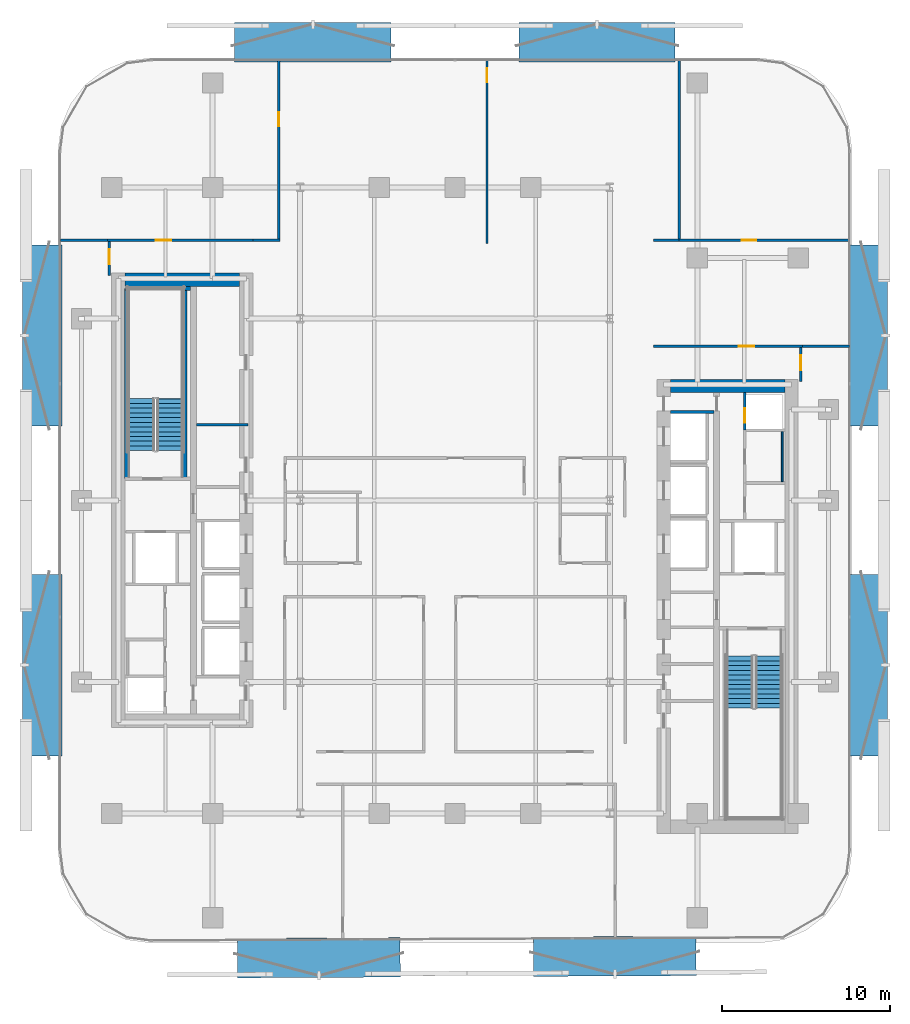
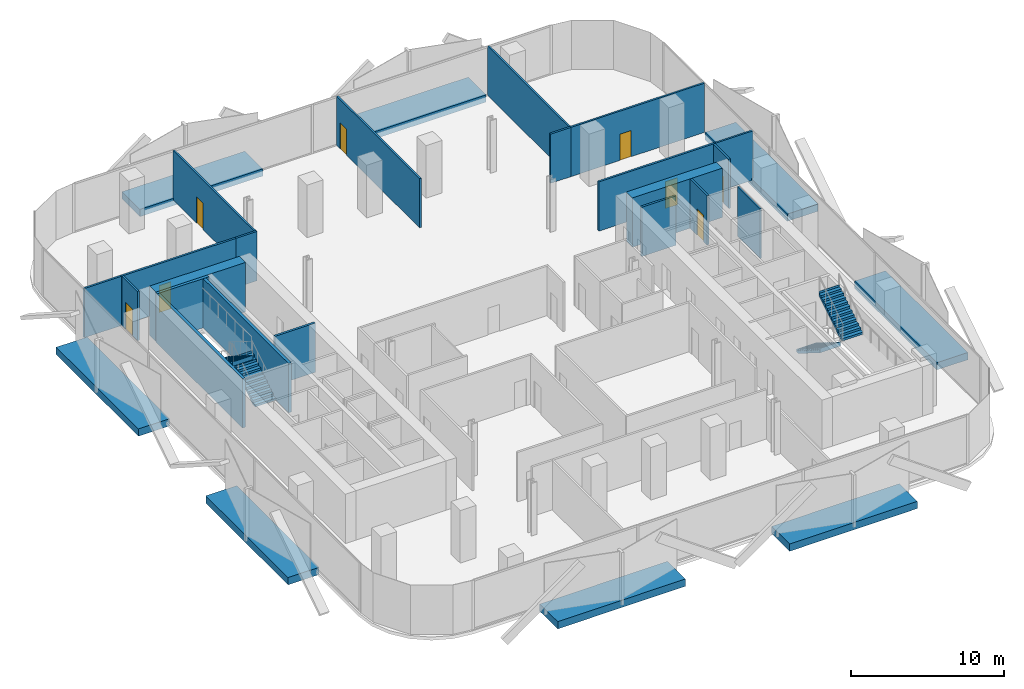
# One storey, part 6 of 15: 21 walls, 8 discrete accessories, 8 doors, 4 stair flights, 8 openings, 2 elements without a shape of their own.
"""IFC4 building model written with IfcOpenShell, lengths in metres."""

from ifc_helpers import new_model, si_unit, direction, frame, frame_2d, origin, origin_2d, place, context, subcontext, project, spatial, polyline, rectangle, outline, extrude, material, layer, layer_set, type_object, element, fill, aggregate, save


model = new_model("IFC4")

# Units and contexts
model_context = context("Model", 3, precision=1e-05, world=origin(), true_north=direction((0.0, 1.0)))
body_context = subcontext(model_context, "Body", "Model", "MODEL_VIEW")
ifc_project = project(units=[si_unit("LENGTHUNIT", "METRE"), si_unit("AREAUNIT", "SQUARE_METRE"), si_unit("VOLUMEUNIT", "CUBIC_METRE"), si_unit("PLANEANGLEUNIT", "RADIAN"), si_unit("MASSUNIT", "GRAM", prefix="KILO")], contexts=[model_context])

# Site, building, storey
site_placement = place(None, origin())
site = spatial("IfcSite", under=ifc_project, at=site_placement, CompositionType="ELEMENT")
building_placement = place(site_placement, origin())
building = spatial("IfcBuilding", under=site, at=building_placement, Name="Khairoan Windgate Tower", CompositionType="ELEMENT")
storey_placement = place(building_placement, frame((0.0, 0.0, 131.0)))
storey = spatial("IfcBuildingStorey", under=building, at=storey_placement, Name="L30", CompositionType="ELEMENT", Elevation=131.0)

# Walls
ifc_material_1 = material(Name="Moisture-Resistant Gypsum Partition", Category="gypsum")
ifc_layer_1 = layer(ifc_material_1, 0.10009765625, Name="Moisture-Resistant Gypsum Partition")
ifc_layer_set_1 = layer_set([ifc_layer_1], Name="Moisture-Resistant Gypsum Partition")
wall_type_1 = type_object("IfcWallType", Name="Bathroom Wet-Area Partition Wall", PredefinedType="PARTITIONING", material=ifc_layer_set_1)
wall_1_placement = place(storey_placement, frame((19.449951171875, 4.090087890625, 0.0), z_axis=(0.0, 0.0, 1.0), x_axis=(0.0, -1.0, 0.0)))
element("IfcWall", 1, at=wall_1_placement, inside=storey, type_object=wall_type_1, Name="L30 Wet Room Side Wall 051", PredefinedType="PARTITIONING", context=body_context, shape_type="SweptSolid", body=[
    extrude(rectangle(XDim=2.97998046875, YDim=0.10009765625, at=frame_2d((1.489990234375, 0.0))), origin(), (0.0, 0.0, 1.0), 3.93994140625),
])
ifc_material_2 = material(Name="Concrete C40/50", Category="concrete")
ifc_layer_2 = layer(ifc_material_2, 0.159912109375, Name="Concrete C40/50")
ifc_layer_set_2 = layer_set([ifc_layer_2], Name="Concrete C40/50")
wall_type_2 = type_object("IfcWallType", Name="Core and Hoistway Enclosure Wall", PredefinedType="STANDARD", material=ifc_layer_set_2)
wall_2_placement = place(storey_placement, frame((12.800048828125, 5.25, 0.0), z_axis=(0.0, 0.0, 1.0), x_axis=(1.0, 0.0, 0.0)))
element("IfcWall", 2, at=wall_2_placement, inside=storey, type_object=wall_type_2, Name="L30 Core Shaft Wall SW-ESV-L30", PredefinedType="STANDARD", context=body_context, shape_type="SweptSolid", body=[
    extrude(rectangle(XDim=2.599853515625, YDim=0.159912109375, at=frame_2d((1.2998046875, 0.0))), origin(), (0.0, 0.0, 1.0), 3.93994140625),
])
ifc_material_3 = material(Name="Acoustic Fire-Rated Gypsum Partition", Category="gypsum")
ifc_layer_3 = layer(ifc_material_3, 0.139892578125, Name="Acoustic Fire-Rated Gypsum Partition")
ifc_layer_set_3 = layer_set([ifc_layer_3], Name="Acoustic Fire-Rated Gypsum Partition")
wall_type_3 = type_object("IfcWallType", Name="Inter-Tenancy Compartment Wall", PredefinedType="PARTITIONING", material=ifc_layer_set_3)
for number, where, z_axis, x_axis, name in (
    (3, (-23.455078125, 15.4599609375, 0.0), (0.0, 0.0, 1.0), (1.0, 0.0, 0.0), "L30 Interior Partition 039"),
    (4, (20.639892578125, 9.159912109375, 0.0), (0.0, 0.0, 1.0), (1.0, 0.0, 0.0), "L30 Interior Partition 040"),
):
    element("IfcWall", number, at=place(storey_placement, frame(where, z_axis=z_axis, x_axis=x_axis)), inside=storey, type_object=wall_type_3, Name=name, PredefinedType="PARTITIONING", context=body_context, shape_type="SweptSolid", body=[
        extrude(rectangle(XDim=2.815185546875, YDim=0.139892578125, at=frame_2d((1.40771484375, 0.0))), origin(), (0.0, 0.0, 1.0), 3.93994140625),
    ])
wall_3_placement = place(storey_placement, frame((11.81005859375, 15.4599609375, 0.0), z_axis=(0.0, 0.0, 1.0), x_axis=(1.0, 0.0, 0.0)))
element("IfcWall", 5, at=wall_3_placement, inside=storey, type_object=wall_type_3, Name="L30 Interior Partition 041", PredefinedType="PARTITIONING", context=body_context, shape_type="SweptSolid", body=[
    extrude(rectangle(XDim=1.517822265625, YDim=0.139892578125, at=frame_2d((0.7587890625, 0.0))), origin(), (0.0, 0.0, 1.0), 3.93994140625),
])

# Wall, opening, door
wall_4_placement = place(storey_placement, frame((13.327880859375, 15.4599609375, 0.0), z_axis=(0.0, 0.0, 1.0), x_axis=(1.0, 0.0, 0.0)))
wall_4 = element("IfcWall", 6, at=wall_4_placement, inside=storey, type_object=wall_type_3, Name="L30 Interior Partition 042", PredefinedType="PARTITIONING", context=body_context, shape_type="SweptSolid", body=[
    extrude(rectangle(XDim=10.127197265625, YDim=0.139892578125, at=frame_2d((5.0634765625, 0.0))), origin(), (0.0, 0.0, 1.0), 3.93994140625),
])
opening_1_placement = place(wall_4_placement, frame((3.72119140625, 0.0, 0.0)))
opening_1 = element("IfcOpeningElement", 7, at=opening_1_placement, cuts=wall_4, Name="Opening FD-SRV", PredefinedType="OPENING", context=body_context, shape_type="SweptSolid", body=[
    extrude(rectangle(XDim=0.85009765625, YDim=2.10009765625, at=frame_2d((0.425048828125, 1.050048828125))), frame((0.0, 0.079833984375, 0.0), z_axis=(0.0, -1.0, 0.0), x_axis=(1.0, 0.0, 0.0)), (0.0, 0.0, 1.0), 0.159912109375),
])
ifc_material_4 = material(Name="Steel S355", Category="steel")
door_type_1 = type_object("IfcDoorType", Name="Core Service and Riser Fire Door FD-SRV 850x2100", OperationType="NOTDEFINED", PredefinedType="DOOR", material=ifc_material_4)
door_1_placement = place(opening_1_placement, origin())
door_1 = element("IfcDoor", 8, at=door_1_placement, inside=storey, type_object=door_type_1, Name="L30 L30-41-L30-45 Door", OperationType="SINGLE_SWING_RIGHT", OverallHeight=2.10009765625, OverallWidth=0.85009765625, PredefinedType="DOOR", context=body_context, shape_type="SweptSolid", body=[
    extrude(rectangle(XDim=0.85009765625, YDim=2.10009765625, at=frame_2d((0.425048828125, 1.050048828125))), frame((0.0, 0.02490234375, 0.0), z_axis=(0.0, -1.0, 0.0), x_axis=(1.0, 0.0, 0.0)), (0.0, 0.0, 1.0), 0.050048828125),
])
fill(opening_1, door_1)

wall_5_placement = place(storey_placement, frame((-10.471923828125, 15.534912109375, 0.0), z_axis=(0.0, 0.0, 1.0), x_axis=(0.0, 1.0, 0.0)))
wall_5 = element("IfcWall", 9, at=wall_5_placement, inside=storey, type_object=wall_type_3, Name="L30 Interior Partition 043", PredefinedType="PARTITIONING", context=body_context, shape_type="SweptSolid", body=[
    extrude(rectangle(XDim=10.6201171875, YDim=0.139892578125, at=frame_2d((5.31005859375, 0.0))), origin(), (0.0, 0.0, 1.0), 3.93994140625),
])
opening_2_placement = place(wall_5_placement, frame((6.6953125, 0.0, 0.0)))
opening_2 = element("IfcOpeningElement", 10, at=opening_2_placement, cuts=wall_5, Name="Opening FD-SRV", PredefinedType="OPENING", context=body_context, shape_type="SweptSolid", body=[
    extrude(rectangle(XDim=0.85009765625, YDim=2.10009765625, at=frame_2d((0.425048828125, 1.050048828125))), frame((0.0, 0.079833984375, 0.0), z_axis=(0.0, -1.0, 0.0), x_axis=(1.0, 0.0, 0.0)), (0.0, 0.0, 1.0), 0.159912109375),
])
door_2_placement = place(opening_2_placement, origin())
door_2 = element("IfcDoor", 11, at=door_2_placement, inside=storey, type_object=door_type_1, Name="L30 L30-42-L30-43 Door", OperationType="SINGLE_SWING_LEFT", OverallHeight=2.10009765625, OverallWidth=0.85009765625, PredefinedType="DOOR", context=body_context, shape_type="SweptSolid", body=[
    extrude(rectangle(XDim=0.85009765625, YDim=2.10009765625, at=frame_2d((0.425048828125, 1.050048828125))), frame((0.0, 0.02490234375, 0.0), z_axis=(0.0, -1.0, 0.0), x_axis=(1.0, 0.0, 0.0)), (0.0, 0.0, 1.0), 0.050048828125),
])
fill(opening_2, door_2)

wall_6_placement = place(storey_placement, frame((1.904052734375, 15.280029296875, 0.0), z_axis=(0.0, 0.0, 1.0), x_axis=(0.0, 1.0, 0.0)))
wall_6 = element("IfcWall", 12, at=wall_6_placement, inside=storey, type_object=wall_type_3, Name="L30 Interior Partition 044", PredefinedType="PARTITIONING", context=body_context, shape_type="SweptSolid", body=[
    extrude(rectangle(XDim=10.875, YDim=0.139892578125, at=frame_2d((5.4375, 0.0))), origin(), (0.0, 0.0, 1.0), 3.93994140625),
])
opening_3_placement = place(wall_6_placement, frame((9.56494140625, 0.0, 0.0)))
opening_3 = element("IfcOpeningElement", 13, at=opening_3_placement, cuts=wall_6, Name="Opening FD-SRV", PredefinedType="OPENING", context=body_context, shape_type="SweptSolid", body=[
    extrude(rectangle(XDim=0.85009765625, YDim=2.10009765625, at=frame_2d((0.425048828125, 1.050048828125))), frame((0.0, 0.079833984375, 0.0), z_axis=(0.0, -1.0, 0.0), x_axis=(1.0, 0.0, 0.0)), (0.0, 0.0, 1.0), 0.159912109375),
])
door_3_placement = place(opening_3_placement, origin())
door_3 = element("IfcDoor", 14, at=door_3_placement, inside=storey, type_object=door_type_1, Name="L30 L30-43-L30-44 Door", OperationType="SINGLE_SWING_LEFT", OverallHeight=2.10009765625, OverallWidth=0.85009765625, PredefinedType="DOOR", context=body_context, shape_type="SweptSolid", body=[
    extrude(rectangle(XDim=0.85009765625, YDim=2.10009765625, at=frame_2d((0.425048828125, 1.050048828125))), frame((0.0, 0.02490234375, 0.0), z_axis=(0.0, -1.0, 0.0), x_axis=(1.0, 0.0, 0.0)), (0.0, 0.0, 1.0), 0.050048828125),
])
fill(opening_3, door_3)

# Walls
wall_7_placement = place(storey_placement, frame((13.327880859375, 15.530029296875, 0.0), z_axis=(0.0, 0.0, 1.0), x_axis=(0.0, 1.0, 0.0)))
element("IfcWall", 15, at=wall_7_placement, inside=storey, type_object=wall_type_3, Name="L30 Interior Partition 045", PredefinedType="PARTITIONING", context=body_context, shape_type="SweptSolid", body=[
    extrude(rectangle(XDim=10.625, YDim=0.139892578125, at=frame_2d((5.3125, 0.0))), origin(), (0.0, 0.0, 1.0), 3.93994140625),
])
ifc_material_5 = material(Name="Concrete C40/50", Category="concrete")
ifc_layer_4 = layer(ifc_material_5, 0.159912109375, Name="Concrete C40/50")
ifc_layer_set_4 = layer_set([ifc_layer_4], Name="Concrete C40/50")
wall_type_4 = type_object("IfcWallType", Name="Plant and Refuge Compartment Wall", PredefinedType="PARTITIONING", material=ifc_layer_set_4)
wall_8_placement = place(storey_placement, frame((-15.375, 4.5, 0.0), z_axis=(0.0, 0.0, 1.0), x_axis=(1.0, 0.0, 0.0)))
element("IfcWall", 16, at=wall_8_placement, inside=storey, type_object=wall_type_4, Name="L30 Interior Partition 006", PredefinedType="PARTITIONING", context=body_context, shape_type="SweptSolid", body=[
    extrude(rectangle(XDim=3.06494140625, YDim=0.159912109375, at=frame_2d((1.532470703125, 0.0))), origin(), (0.0, 0.0, 1.0), 3.93994140625),
])

# Wall, opening, door
wall_9_placement = place(storey_placement, frame((17.22998046875, 4.169921875, 0.0), z_axis=(0.0, 0.0, 1.0), x_axis=(0.0, 1.0, 0.0)))
wall_9 = element("IfcWall", 17, at=wall_9_placement, inside=storey, type_object=wall_type_4, Name="L30 Interior Partition 007", PredefinedType="PARTITIONING", context=body_context, shape_type="SweptSolid", body=[
    extrude(rectangle(XDim=2.22998046875, YDim=0.159912109375, at=frame_2d((1.114990234375, 0.0))), origin(), (0.0, 0.0, 1.0), 3.93994140625),
])
opening_4_placement = place(wall_9_placement, frame((0.4599609375, 0.0, 0.0)))
opening_4 = element("IfcOpeningElement", 18, at=opening_4_placement, cuts=wall_9, Name="Opening FD-SRV", PredefinedType="OPENING", context=body_context, shape_type="SweptSolid", body=[
    extrude(rectangle(XDim=0.85009765625, YDim=2.10009765625, at=frame_2d((0.425048828125, 1.050048828125))), frame((0.0, 0.08984375, 0.0), z_axis=(0.0, -1.0, 0.0), x_axis=(1.0, 0.0, 0.0)), (0.0, 0.0, 1.0), 0.179931640625),
])
door_4_placement = place(opening_4_placement, origin())
door_4 = element("IfcDoor", 19, at=door_4_placement, inside=storey, type_object=door_type_1, Name="L30 L30-18-L30-19 Door", OperationType="SINGLE_SWING_LEFT", OverallHeight=2.10009765625, OverallWidth=0.85009765625, PredefinedType="DOOR", context=body_context, shape_type="SweptSolid", body=[
    extrude(rectangle(XDim=0.85009765625, YDim=2.10009765625, at=frame_2d((0.425048828125, 1.050048828125))), frame((0.0, 0.02490234375, 0.0), z_axis=(0.0, -1.0, 0.0), x_axis=(1.0, 0.0, 0.0)), (0.0, 0.0, 1.0), 0.050048828125),
])
fill(opening_4, door_4)

# Wall
ifc_material_6 = material(Name="Acoustic Fire-Rated Gypsum Partition", Category="gypsum")
ifc_layer_5 = layer(ifc_material_6, 0.14990234375, Name="Acoustic Fire-Rated Gypsum Partition")
ifc_layer_set_5 = layer_set([ifc_layer_5], Name="Acoustic Fire-Rated Gypsum Partition")
wall_type_5 = type_object("IfcWallType", Name="Rated Corridor Partition Wall", PredefinedType="PARTITIONING", material=ifc_layer_set_5)
wall_10_placement = place(storey_placement, frame((-11.989990234375, 15.4599609375, 0.0), z_axis=(0.0, 0.0, 1.0), x_axis=(1.0, 0.0, 0.0)))
element("IfcWall", 20, at=wall_10_placement, inside=storey, type_object=wall_type_5, Name="L30 Interior Partition 014", PredefinedType="PARTITIONING", context=body_context, shape_type="SweptSolid", body=[
    extrude(rectangle(XDim=1.587890625, YDim=0.14990234375, at=frame_2d((0.7939453125, 0.0))), origin(), (0.0, 0.0, 1.0), 3.93994140625),
])

# Wall, opening, door
wall_11_placement = place(storey_placement, frame((-20.5400390625, 13.360107421875, 0.0), z_axis=(0.0, 0.0, 1.0), x_axis=(0.0, 1.0, 0.0)))
wall_11 = element("IfcWall", 21, at=wall_11_placement, inside=storey, type_object=wall_type_5, Name="L30 Interior Partition 029", PredefinedType="PARTITIONING", context=body_context, shape_type="SweptSolid", body=[
    extrude(rectangle(XDim=2.02490234375, YDim=0.14990234375, at=frame_2d((1.012451171875, 0.0))), origin(), (0.0, 0.0, 1.0), 3.93994140625),
])
opening_5_placement = place(wall_11_placement, frame((0.6650390625, 0.0, 0.0)))
opening_5 = element("IfcOpeningElement", 22, at=opening_5_placement, cuts=wall_11, Name="Opening FD-ENT", PredefinedType="OPENING", context=body_context, shape_type="SweptSolid", body=[
    extrude(rectangle(XDim=0.89990234375, YDim=2.14990234375, at=frame_2d((0.449951171875, 1.074951171875))), frame((0.0, 0.0849609375, 0.0), z_axis=(0.0, -1.0, 0.0), x_axis=(1.0, 0.0, 0.0)), (0.0, 0.0, 1.0), 0.169921875),
])
ifc_material_7 = material(Name="Timber Fire-Rated Core", Category="wood")
door_type_2 = type_object("IfcDoorType", Name="Unit and Office Fire Entrance Door FD-ENT 900x2150", OperationType="NOTDEFINED", PredefinedType="DOOR", material=ifc_material_7)
door_5_placement = place(opening_5_placement, origin())
door_5 = element("IfcDoor", 23, at=door_5_placement, inside=storey, type_object=door_type_2, Name="L30 L30-35-L30-39 Door", OperationType="SINGLE_SWING_LEFT", OverallHeight=2.14990234375, OverallWidth=0.89990234375, PredefinedType="DOOR", context=body_context, shape_type="SweptSolid", body=[
    extrude(rectangle(XDim=0.89990234375, YDim=2.14990234375, at=frame_2d((0.449951171875, 1.074951171875))), frame((0.0, 0.02490234375, 0.0), z_axis=(0.0, -1.0, 0.0), x_axis=(1.0, 0.0, 0.0)), (0.0, 0.0, 1.0), 0.050048828125),
])
fill(opening_5, door_5)

wall_12_placement = place(storey_placement, frame((-20.639892578125, 15.4599609375, 0.0), z_axis=(0.0, 0.0, 1.0), x_axis=(1.0, 0.0, 0.0)))
wall_12 = element("IfcWall", 24, at=wall_12_placement, inside=storey, type_object=wall_type_5, Name="L30 Interior Partition 030", PredefinedType="PARTITIONING", context=body_context, shape_type="SweptSolid", body=[
    extrude(rectangle(XDim=8.64990234375, YDim=0.14990234375, at=frame_2d((4.324951171875, 0.0))), origin(), (0.0, 0.0, 1.0), 3.93994140625),
])
opening_6_placement = place(wall_12_placement, frame((2.87060546875, 0.0, 0.0)))
opening_6 = element("IfcOpeningElement", 25, at=opening_6_placement, cuts=wall_12, Name="Opening FD-ENT", PredefinedType="OPENING", context=body_context, shape_type="SweptSolid", body=[
    extrude(rectangle(XDim=0.89990234375, YDim=2.14990234375, at=frame_2d((0.449951171875, 1.074951171875))), frame((0.0, 0.0849609375, 0.0), z_axis=(0.0, -1.0, 0.0), x_axis=(1.0, 0.0, 0.0)), (0.0, 0.0, 1.0), 0.169921875),
])
door_6_placement = place(opening_6_placement, origin())
door_6 = element("IfcDoor", 26, at=door_6_placement, inside=storey, type_object=door_type_2, Name="L30 L30-35-L30-42 Door", OperationType="SINGLE_SWING_RIGHT", OverallHeight=2.14990234375, OverallWidth=0.89990234375, PredefinedType="DOOR", context=body_context, shape_type="SweptSolid", body=[
    extrude(rectangle(XDim=0.89990234375, YDim=2.14990234375, at=frame_2d((0.449951171875, 1.074951171875))), frame((0.0, 0.02490234375, 0.0), z_axis=(0.0, -1.0, 0.0), x_axis=(1.0, 0.0, 0.0)), (0.0, 0.0, 1.0), 0.050048828125),
])
fill(opening_6, door_6)

wall_13_placement = place(storey_placement, frame((20.5400390625, 7.06005859375, 0.0), z_axis=(0.0, 0.0, 1.0), x_axis=(0.0, 1.0, 0.0)))
wall_13 = element("IfcWall", 27, at=wall_13_placement, inside=storey, type_object=wall_type_5, Name="L30 Interior Partition 031", PredefinedType="PARTITIONING", context=body_context, shape_type="SweptSolid", body=[
    extrude(rectangle(XDim=2.02490234375, YDim=0.14990234375, at=frame_2d((1.012451171875, 0.0))), origin(), (0.0, 0.0, 1.0), 3.93994140625),
])
opening_7_placement = place(wall_13_placement, frame((0.6650390625, 0.0, 0.0)))
opening_7 = element("IfcOpeningElement", 28, at=opening_7_placement, cuts=wall_13, Name="Opening FD-ENT", PredefinedType="OPENING", context=body_context, shape_type="SweptSolid", body=[
    extrude(rectangle(XDim=0.89990234375, YDim=2.14990234375, at=frame_2d((0.449951171875, 1.074951171875))), frame((0.0, 0.0849609375, 0.0), z_axis=(0.0, -1.0, 0.0), x_axis=(1.0, 0.0, 0.0)), (0.0, 0.0, 1.0), 0.169921875),
])
door_7_placement = place(opening_7_placement, origin())
door_7 = element("IfcDoor", 29, at=door_7_placement, inside=storey, type_object=door_type_2, Name="L30 L30-36-L30-40 Door", OperationType="SINGLE_SWING_LEFT", OverallHeight=2.14990234375, OverallWidth=0.89990234375, PredefinedType="DOOR", context=body_context, shape_type="SweptSolid", body=[
    extrude(rectangle(XDim=0.89990234375, YDim=2.14990234375, at=frame_2d((0.449951171875, 1.074951171875))), frame((0.0, 0.02490234375, 0.0), z_axis=(0.0, -1.0, 0.0), x_axis=(1.0, 0.0, 0.0)), (0.0, 0.0, 1.0), 0.050048828125),
])
fill(opening_7, door_7)

wall_14_placement = place(storey_placement, frame((11.81005859375, 9.159912109375, 0.0), z_axis=(0.0, 0.0, 1.0), x_axis=(1.0, 0.0, 0.0)))
wall_14 = element("IfcWall", 30, at=wall_14_placement, inside=storey, type_object=wall_type_5, Name="L30 Interior Partition 032", PredefinedType="PARTITIONING", context=body_context, shape_type="SweptSolid", body=[
    extrude(rectangle(XDim=8.829833984375, YDim=0.14990234375, at=frame_2d((4.4150390625, 0.0))), origin(), (0.0, 0.0, 1.0), 3.93994140625),
])
opening_8_placement = place(wall_14_placement, frame((5.066650390625, 0.0, 0.0)))
opening_8 = element("IfcOpeningElement", 31, at=opening_8_placement, cuts=wall_14, Name="Opening FD-ENT", PredefinedType="OPENING", context=body_context, shape_type="SweptSolid", body=[
    extrude(rectangle(XDim=0.89990234375, YDim=2.14990234375, at=frame_2d((0.449951171875, 1.074951171875))), frame((0.0, 0.0849609375, 0.0), z_axis=(0.0, -1.0, 0.0), x_axis=(1.0, 0.0, 0.0)), (0.0, 0.0, 1.0), 0.169921875),
])
door_8_placement = place(opening_8_placement, origin())
door_8 = element("IfcDoor", 32, at=door_8_placement, inside=storey, type_object=door_type_2, Name="L30 L30-36-L30-41 Door", OperationType="SINGLE_SWING_RIGHT", OverallHeight=2.14990234375, OverallWidth=0.89990234375, PredefinedType="DOOR", context=body_context, shape_type="SweptSolid", body=[
    extrude(rectangle(XDim=0.89990234375, YDim=2.14990234375, at=frame_2d((0.449951171875, 1.074951171875))), frame((0.0, 0.02490234375, 0.0), z_axis=(0.0, -1.0, 0.0), x_axis=(1.0, 0.0, 0.0)), (0.0, 0.0, 1.0), 0.050048828125),
])
fill(opening_8, door_8)

# Walls
ifc_material_8 = material(Name="Concrete C70/85", Category="concrete")
ifc_layer_6 = layer(ifc_material_8, 0.800048828125, Name="Concrete C70/85")
ifc_layer_set_6 = layer_set([ifc_layer_6], Name="Concrete C70/85")
wall_type_6 = type_object("IfcWallType", Name="Shear Wall CW-E1 800mm", PredefinedType="SHEAR", material=ifc_layer_set_6)
wall_15_placement = place(storey_placement, frame((12.800048828125, 6.800048828125, 0.0), z_axis=(0.0, 0.0, 1.0), x_axis=(1.0, 0.0, 0.0)))
element("IfcWall", 33, at=wall_15_placement, inside=storey, type_object=wall_type_6, Name="E Core North Shear Wall L30", PredefinedType="SHEAR", context=body_context, shape_type="SweptSolid", body=[
    extrude(rectangle(XDim=6.800048828125, YDim=0.800048828125, at=frame_2d((3.39990234375, 0.0))), origin(), (0.0, 0.0, 1.0), 3.93994140625),
])
ifc_material_9 = material(Name="Concrete C70/85", Category="concrete")
ifc_layer_7 = layer(ifc_material_9, 0.800048828125, Name="Concrete C70/85")
ifc_layer_set_7 = layer_set([ifc_layer_7], Name="Concrete C70/85")
wall_type_7 = type_object("IfcWallType", Name="Shear Wall CW-W1 800mm", PredefinedType="SHEAR", material=ifc_layer_set_7)
wall_16_placement = place(storey_placement, frame((-19.60009765625, 13.10009765625, 0.0), z_axis=(0.0, 0.0, 1.0), x_axis=(1.0, 0.0, 0.0)))
element("IfcWall", 34, at=wall_16_placement, inside=storey, type_object=wall_type_7, Name="W Core North Shear Wall L30", PredefinedType="SHEAR", context=body_context, shape_type="SweptSolid", body=[
    extrude(rectangle(XDim=6.800048828125, YDim=0.800048828125, at=frame_2d((3.39990234375, 0.0))), origin(), (0.0, 0.0, 1.0), 3.93994140625),
])
ifc_material_10 = material(Name="Concrete C50/60", Category="concrete")
ifc_layer_8 = layer(ifc_material_10, 0.219970703125, Name="Concrete C50/60")
ifc_layer_set_8 = layer_set([ifc_layer_8], Name="Concrete C50/60")
wall_type_8 = type_object("IfcWallType", Name="Shear Wall SW-ST 220mm", PredefinedType="SHEAR", material=ifc_layer_set_8)
for number, where, z_axis, x_axis, name in (
    (35, (-16.0400390625, 1.2900390625, 0.0), (0.0, 0.0, 1.0), (0.0, 1.0, 0.0), "L30 Stair ST2 East Bearing Wall"),
    (36, (-19.530029296875, 1.2900390625, 0.0), (0.0, 0.0, 1.0), (0.0, 1.0, 0.0), "L30 Stair ST2 West Bearing Wall"),
):
    element("IfcWall", number, at=place(storey_placement, frame(where, z_axis=z_axis, x_axis=x_axis)), inside=storey, type_object=wall_type_8, Name=name, PredefinedType="SHEAR", context=body_context, shape_type="SweptSolid", body=[
        extrude(rectangle(XDim=11.300048828125, YDim=0.219970703125, at=frame_2d((5.64990234375, 0.0))), origin(), (0.0, 0.0, 1.0), 3.93994140625),
    ])
wall_17_placement = place(storey_placement, frame((-19.6201171875, 12.590087890625, 0.0), z_axis=(0.0, 0.0, 1.0), x_axis=(1.0, 0.0, 0.0)))
element("IfcWall", 37, at=wall_17_placement, inside=storey, type_object=wall_type_8, Name="L30 Stair ST2 North Bearing Wall", PredefinedType="SHEAR", context=body_context, shape_type="SweptSolid", body=[
    extrude(rectangle(XDim=3.9150390625, YDim=0.219970703125, at=frame_2d((1.95751953125, 0.0))), origin(), (0.0, 0.0, 1.0), 3.93994140625),
])

# Stair, stair flights
ifc_material_11 = material(Name="Concrete C40/50", Category="concrete")
stair_type = type_object("IfcStairType", Name="Tower Core Dog-Leg Stair ST-T1 1560mm", PredefinedType="HALF_TURN_STAIR", material=ifc_material_11)
stair_1_placement = place(storey_placement, origin())
stair_1 = element("IfcStair", 38, at=stair_1_placement, inside=storey, type_object=stair_type, Name="L30 Stair ST1", PredefinedType="HALF_TURN_STAIR")
ifc_material_12 = material(Name="Concrete C40/50", Category="concrete")
ifc_layer_9 = layer(ifc_material_12, 0.14990234375, Name="Concrete C40/50")
ifc_layer_set_9 = layer_set([ifc_layer_9], Name="Concrete C40/50")
stair_flight_type = type_object("IfcStairFlightType", Name="Tower Core Stair Flight STF-1560", PredefinedType="STRAIGHT", material=ifc_layer_set_9)
stair_flight_1_placement = place(storey_placement, frame((16.929931640625, -9.260009765625, 0.0), z_axis=(0.0, 0.0, 1.0), x_axis=(0.0, -1.0, 0.0)))
stair_flight_1 = element("IfcStairFlight", 39, at=stair_flight_1_placement, type_object=stair_flight_type, Name="ST1 flight 1", NumberOfRisers=12, NumberOfTreads=11, PredefinedType="STRAIGHT", RiserHeight=0.175, TreadLength=0.28, context=body_context, shape_type="SweptSolid", body=[
    extrude(outline(polyline([(-0.00390625, 0.0), (-0.00390625, 0.175048828125), (0.0, 0.175048828125), (0.280029296875, 0.175048828125), (0.280029296875, 0.35009765625), (0.56005859375, 0.35009765625), (0.56005859375, 0.52490234375), (0.840087890625, 0.52490234375), (0.840087890625, 0.699951171875), (1.1201171875, 0.699951171875), (1.1201171875, 0.875), (1.39990234375, 0.875), (1.39990234375, 1.050048828125), (1.679931640625, 1.050048828125), (1.679931640625, 1.22509765625), (1.9599609375, 1.22509765625), (1.9599609375, 1.39990234375), (2.239990234375, 1.39990234375), (2.239990234375, 1.574951171875), (2.52001953125, 1.574951171875), (2.52001953125, 1.75), (2.800048828125, 1.75), (2.800048828125, 1.925048828125), (3.080078125, 1.925048828125), (3.080078125, 2.10009765625), (3.083984375, 2.10009765625), (3.083984375, 1.748291015625), (0.28271484375, 0.0), (-0.00390625, 0.0)])), frame((0.0, 0.780029296875, 0.0), z_axis=(0.0, -1.0, 0.0), x_axis=(1.0, 0.0, 0.0)), (0.0, 0.0, 1.0), 1.56005859375),
])
stair_flight_2_placement = place(storey_placement, frame((18.639892578125, -12.340087890625, 2.10009765625), z_axis=(0.0, 0.0, 1.0), x_axis=(0.0, 1.0, 0.0)))
stair_flight_2 = element("IfcStairFlight", 40, at=stair_flight_2_placement, type_object=stair_flight_type, Name="ST1 flight 2", NumberOfRisers=12, NumberOfTreads=11, PredefinedType="STRAIGHT", RiserHeight=0.175, TreadLength=0.28, context=body_context, shape_type="SweptSolid", body=[
    extrude(outline(polyline([(-0.00390625, 0.0), (-0.00390625, 0.175048828125), (0.0, 0.175048828125), (0.280029296875, 0.175048828125), (0.280029296875, 0.35009765625), (0.56005859375, 0.35009765625), (0.56005859375, 0.52490234375), (0.840087890625, 0.52490234375), (0.840087890625, 0.699951171875), (1.1201171875, 0.699951171875), (1.1201171875, 0.875), (1.39990234375, 0.875), (1.39990234375, 1.050048828125), (1.679931640625, 1.050048828125), (1.679931640625, 1.22509765625), (1.9599609375, 1.22509765625), (1.9599609375, 1.39990234375), (2.239990234375, 1.39990234375), (2.239990234375, 1.574951171875), (2.52001953125, 1.574951171875), (2.52001953125, 1.75), (2.800048828125, 1.75), (2.800048828125, 1.925048828125), (3.080078125, 1.925048828125), (3.080078125, 2.10009765625), (3.083984375, 2.10009765625), (3.083984375, 1.748291015625), (0.28271484375, 0.0), (-0.00390625, 0.0)])), frame((0.0, 0.780029296875, 0.0), z_axis=(0.0, -1.0, 0.0), x_axis=(1.0, 0.0, 0.0)), (0.0, 0.0, 1.0), 1.56005859375),
])
aggregate(stair_1, [stair_flight_1, stair_flight_2])

stair_2_placement = place(storey_placement, origin())
stair_2 = element("IfcStair", 41, at=stair_2_placement, inside=storey, type_object=stair_type, Name="L30 Stair ST2", PredefinedType="HALF_TURN_STAIR")
stair_flight_3_placement = place(storey_placement, frame((-16.929931640625, 2.9599609375, 0.0), z_axis=(0.0, 0.0, 1.0), x_axis=(0.0, 1.0, 0.0)))
stair_flight_3 = element("IfcStairFlight", 42, at=stair_flight_3_placement, type_object=stair_flight_type, Name="ST2 flight 1", NumberOfRisers=12, NumberOfTreads=11, PredefinedType="STRAIGHT", RiserHeight=0.175, TreadLength=0.28, context=body_context, shape_type="SweptSolid", body=[
    extrude(outline(polyline([(-0.00390625, 0.0), (-0.00390625, 0.175048828125), (0.0, 0.175048828125), (0.280029296875, 0.175048828125), (0.280029296875, 0.35009765625), (0.56005859375, 0.35009765625), (0.56005859375, 0.52490234375), (0.840087890625, 0.52490234375), (0.840087890625, 0.699951171875), (1.1201171875, 0.699951171875), (1.1201171875, 0.875), (1.39990234375, 0.875), (1.39990234375, 1.050048828125), (1.679931640625, 1.050048828125), (1.679931640625, 1.22509765625), (1.9599609375, 1.22509765625), (1.9599609375, 1.39990234375), (2.239990234375, 1.39990234375), (2.239990234375, 1.574951171875), (2.52001953125, 1.574951171875), (2.52001953125, 1.75), (2.800048828125, 1.75), (2.800048828125, 1.925048828125), (3.080078125, 1.925048828125), (3.080078125, 2.10009765625), (3.083984375, 2.10009765625), (3.083984375, 1.748291015625), (0.28271484375, 0.0), (-0.00390625, 0.0)])), frame((0.0, 0.780029296875, 0.0), z_axis=(0.0, -1.0, 0.0), x_axis=(1.0, 0.0, 0.0)), (0.0, 0.0, 1.0), 1.56005859375),
])
stair_flight_4_placement = place(storey_placement, frame((-18.639892578125, 6.0400390625, 2.10009765625), z_axis=(0.0, 0.0, 1.0), x_axis=(0.0, -1.0, 0.0)))
stair_flight_4 = element("IfcStairFlight", 43, at=stair_flight_4_placement, type_object=stair_flight_type, Name="ST2 flight 2", NumberOfRisers=12, NumberOfTreads=11, PredefinedType="STRAIGHT", RiserHeight=0.175, TreadLength=0.28, context=body_context, shape_type="SweptSolid", body=[
    extrude(outline(polyline([(-0.00390625, 0.0), (-0.00390625, 0.175048828125), (0.0, 0.175048828125), (0.280029296875, 0.175048828125), (0.280029296875, 0.35009765625), (0.56005859375, 0.35009765625), (0.56005859375, 0.52490234375), (0.840087890625, 0.52490234375), (0.840087890625, 0.699951171875), (1.1201171875, 0.699951171875), (1.1201171875, 0.875), (1.39990234375, 0.875), (1.39990234375, 1.050048828125), (1.679931640625, 1.050048828125), (1.679931640625, 1.22509765625), (1.9599609375, 1.22509765625), (1.9599609375, 1.39990234375), (2.239990234375, 1.39990234375), (2.239990234375, 1.574951171875), (2.52001953125, 1.574951171875), (2.52001953125, 1.75), (2.800048828125, 1.75), (2.800048828125, 1.925048828125), (3.080078125, 1.925048828125), (3.080078125, 2.10009765625), (3.083984375, 2.10009765625), (3.083984375, 1.748291015625), (0.28271484375, 0.0), (-0.00390625, 0.0)])), frame((0.0, 0.780029296875, 0.0), z_axis=(0.0, -1.0, 0.0), x_axis=(1.0, 0.0, 0.0)), (0.0, 0.0, 1.0), 1.56005859375),
])
aggregate(stair_2, [stair_flight_3, stair_flight_4])

# Discrete accessories
ifc_material_13 = material(Name="Steel S355", Category="steel")
discrete_accessory_type = type_object("IfcDiscreteAccessoryType", Name="Solar Screen Outrigger Slab Bracket SSB-1", PredefinedType="BRACKET", material=ifc_material_13)
for number, where, z_axis, x_axis, name in (
    (44, (9.497802734375, -27.09521484375, -0.419921875), (0.0, 0.0, 1.0), (-0.999988059021, -0.004886902454, 0.0), "L30 Solar Screen Outrigger Bracket 185"),
    (45, (-8.091064453125, -27.18115234375, -0.419921875), (0.0, 0.0, 1.0), (-0.999988059021, -0.004886902454, 0.0), "L30 Solar Screen Outrigger Bracket 186"),
):
    element("IfcDiscreteAccessory", number, at=place(storey_placement, frame(where, z_axis=z_axis, x_axis=x_axis)), inside=storey, type_object=discrete_accessory_type, Name=name, PredefinedType="BRACKET", context=body_context, shape_type="SweptSolid", body=[
        extrude(rectangle(XDim=9.674072265625, YDim=2.340087890625, at=origin_2d()), origin(), (0.0, 0.0, 1.0), 0.580078125),
    ])
for number, where, z_axis, x_axis, name in (
    (46, (-24.530029296875, -9.79541015625, -0.419921875), (0.0, 0.0, 1.0), (0.0, 1.0, 0.0), "L30 Solar Screen Outrigger Bracket 187"),
    (47, (-24.530029296875, 9.79541015625, -0.419921875), (0.0, 0.0, 1.0), (0.0, 1.0, 0.0), "L30 Solar Screen Outrigger Bracket 188"),
):
    element("IfcDiscreteAccessory", number, at=place(storey_placement, frame(where, z_axis=z_axis, x_axis=x_axis)), inside=storey, type_object=discrete_accessory_type, Name=name, PredefinedType="BRACKET", context=body_context, shape_type="SweptSolid", body=[
        extrude(rectangle(XDim=10.77490234375, YDim=2.340087890625, at=origin_2d()), origin(), (0.0, 0.0, 1.0), 0.580078125),
    ])
for number, where, z_axis, x_axis, name in (
    (48, (-8.4453125, 27.22998046875, -0.419921875), (0.0, 0.0, 1.0), (1.0, 0.0, 0.0), "L30 Solar Screen Outrigger Bracket 189"),
    (49, (8.4453125, 27.22998046875, -0.419921875), (0.0, 0.0, 1.0), (1.0, 0.0, 0.0), "L30 Solar Screen Outrigger Bracket 190"),
):
    element("IfcDiscreteAccessory", number, at=place(storey_placement, frame(where, z_axis=z_axis, x_axis=x_axis)), inside=storey, type_object=discrete_accessory_type, Name=name, PredefinedType="BRACKET", context=body_context, shape_type="SweptSolid", body=[
        extrude(rectangle(XDim=9.2900390625, YDim=2.340087890625, at=origin_2d()), origin(), (0.0, 0.0, 1.0), 0.580078125),
    ])
for number, where, z_axis, x_axis, name in (
    (50, (24.530029296875, 9.79541015625, -0.419921875), (0.0, 0.0, 1.0), (0.0, -1.0, 0.0), "L30 Solar Screen Outrigger Bracket 191"),
    (51, (24.530029296875, -9.79541015625, -0.419921875), (0.0, 0.0, 1.0), (0.0, -1.0, 0.0), "L30 Solar Screen Outrigger Bracket 192"),
):
    element("IfcDiscreteAccessory", number, at=place(storey_placement, frame(where, z_axis=z_axis, x_axis=x_axis)), inside=storey, type_object=discrete_accessory_type, Name=name, PredefinedType="BRACKET", context=body_context, shape_type="SweptSolid", body=[
        extrude(rectangle(XDim=10.77490234375, YDim=2.340087890625, at=origin_2d()), origin(), (0.0, 0.0, 1.0), 0.580078125),
    ])

save(model, "model.ifc")
